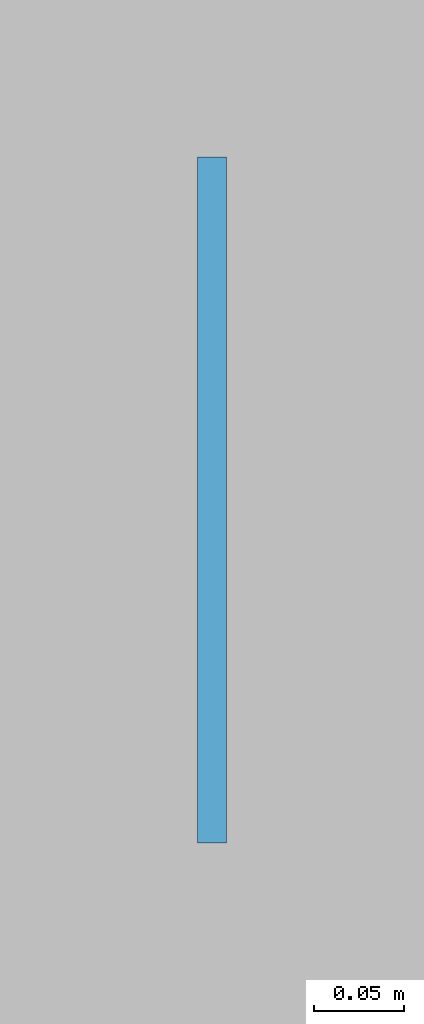
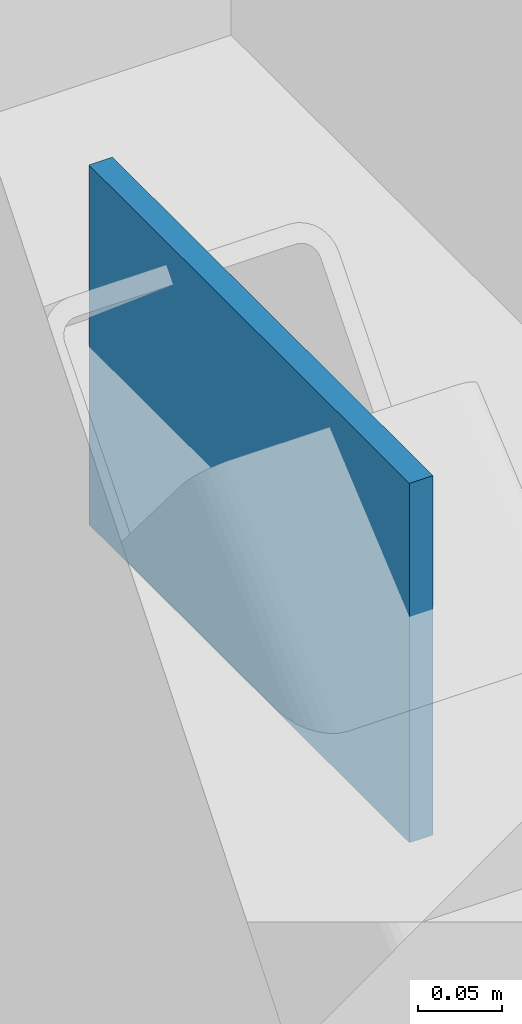
# One storey, part 95 of 132: 1 plate.
"""IFC4 building model written with IfcOpenShell, lengths in metres."""

from ifc_helpers import new_model, si_unit, direction, frame, origin, origin_2d, place, context, subcontext, project, spatial, rectangle, extrude, material, layer, layer_set, type_object, element, save


model = new_model("IFC4")

# Units and contexts
model_context = context("Model", 3, precision=1e-05, world=origin(), true_north=direction((0.0, 1.0)))
body_context = subcontext(model_context, "Body", "Model", "MODEL_VIEW")
ifc_project = project(units=[si_unit("LENGTHUNIT", "METRE"), si_unit("AREAUNIT", "SQUARE_METRE"), si_unit("VOLUMEUNIT", "CUBIC_METRE"), si_unit("PLANEANGLEUNIT", "RADIAN"), si_unit("MASSUNIT", "GRAM", prefix="KILO")], contexts=[model_context])

# Site, building, storey
site_placement = place(None, origin())
site = spatial("IfcSite", under=ifc_project, at=site_placement, CompositionType="ELEMENT")
building_placement = place(site_placement, origin())
building = spatial("IfcBuilding", under=site, at=building_placement, Name="Qasida Concert Hall", CompositionType="ELEMENT")
storey_placement = place(building_placement, frame((0.0, 0.0, 4.800048828125)))
storey = spatial("IfcBuildingStorey", under=building, at=storey_placement, Name="L01", CompositionType="ELEMENT", Elevation=4.800048828125)

# Plate
ifc_material = material(Name="Steel S355J2", Category="steel")
ifc_layer = layer(ifc_material, 0.01611328125, Name="Steel S355J2")
ifc_layer_set = layer_set([ifc_layer], Name="Steel S355J2")
plate_type = type_object("IfcPlateType", Name="PLT-PL-EC3", PredefinedType="SHEET", material=ifc_layer_set)
plate_placement = place(storey_placement, frame((0.0, 101.25, 3.0400390625), z_axis=(0.0, 0.0, 1.0), x_axis=(0.0, 1.0, 0.0)))
element("IfcPlate", 1, at=plate_placement, inside=storey, type_object=plate_type, Name="Chevron apex plate CBF-0100", PredefinedType="SHEET", context=body_context, shape_type="SweptSolid", body=[
    extrude(rectangle(XDim=0.3798828125, YDim=0.01611328125, at=origin_2d()), origin(), (0.0, 0.0, 1.0), 0.260009765625),
])

save(model, "model.ifc")
